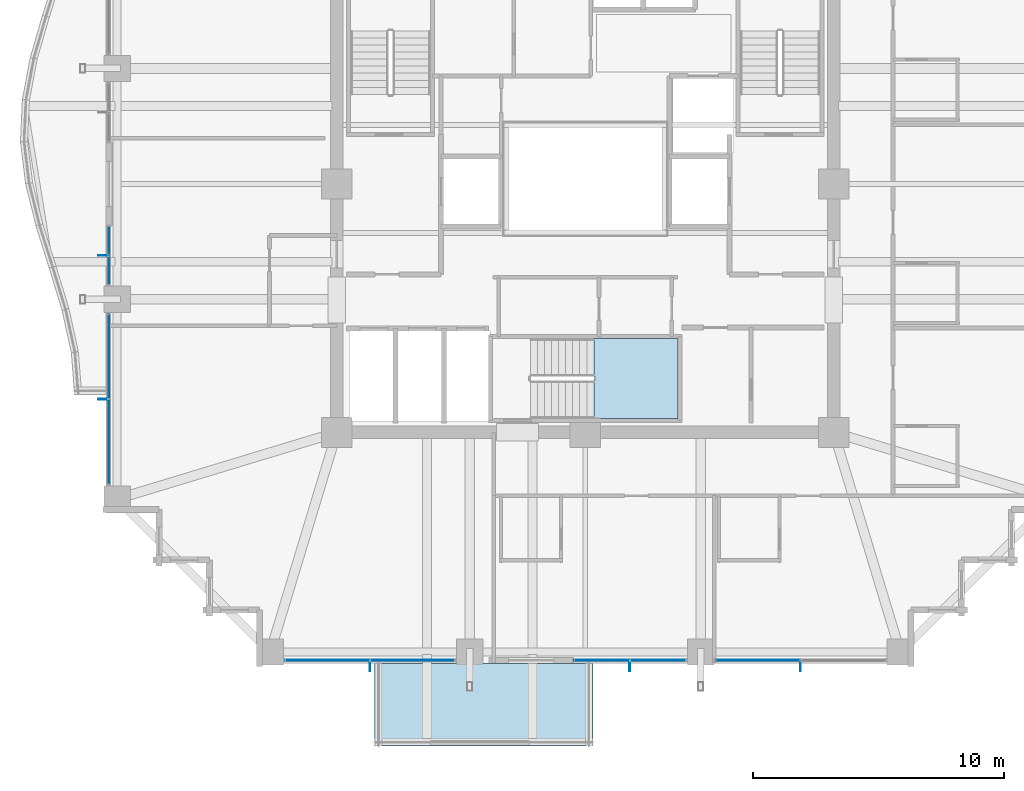
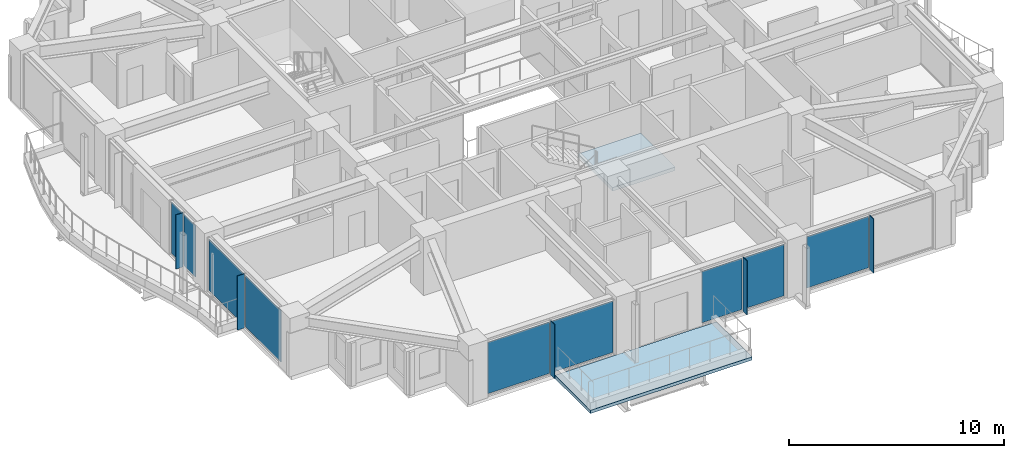
# One storey, part 26 of 38: 14 plates, 2 slabs, 6 elements without a shape of their own.
"""IFC4 building model written with IfcOpenShell, lengths in metres."""

from ifc_helpers import new_model, si_unit, direction, frame, origin, origin_2d, place, context, subcontext, project, spatial, polyline, rectangle, outline, extrude, material, layer, layer_set, type_object, element, aggregate, save


model = new_model("IFC4")

# Units and contexts
model_context = context("Model", 3, precision=1e-05, world=origin(), true_north=direction((0.0, 1.0)))
body_context = subcontext(model_context, "Body", "Model", "MODEL_VIEW")
ifc_project = project(units=[si_unit("LENGTHUNIT", "METRE"), si_unit("AREAUNIT", "SQUARE_METRE"), si_unit("VOLUMEUNIT", "CUBIC_METRE"), si_unit("PLANEANGLEUNIT", "RADIAN"), si_unit("MASSUNIT", "GRAM", prefix="KILO")], contexts=[model_context])

# Site, building, storey
site_placement = place(None, origin())
site = spatial("IfcSite", under=ifc_project, at=site_placement, CompositionType="ELEMENT")
building_placement = place(site_placement, origin())
building = spatial("IfcBuilding", under=site, at=building_placement, Name="Kolvaren Belvedere", CompositionType="ELEMENT")
storey_placement = place(building_placement, frame((0.0, 0.0, 121.699951171875)))
storey = spatial("IfcBuildingStorey", under=building, at=storey_placement, Name="L35", CompositionType="ELEMENT", Elevation=121.699951171875)

# Curtain wall, plate
ifc_material_1 = material(Name="Anodised pale-metal aluminium AA 6063-T6", Category="aluminium")
curtain_wall_type = type_object("IfcCurtainWallType", Name="CW-Z3-WAIST", PredefinedType="NOTDEFINED", material=ifc_material_1)
curtain_wall_1_placement = place(storey_placement, origin())
curtain_wall_1 = element("IfcCurtainWall", 1, at=curtain_wall_1_placement, inside=storey, type_object=curtain_wall_type, Name="L35 Unitised Curtain Wall FCW-L35-S1-B1", PredefinedType="NOTDEFINED")
ifc_material_2 = material(Name="Low-iron triple insulated glass", Category="glass")
ifc_layer_1 = layer(ifc_material_2, 0.028076171875)
ifc_layer_set_1 = layer_set([ifc_layer_1], Name="Low-iron triple insulated glass")
plate_type_1 = type_object("IfcPlateType", Name="CW-PNL-VIS28", PredefinedType="CURTAIN_PANEL", material=ifc_layer_set_1)
plate_1_placement = place(storey_placement, frame((6.876220703125, -18.97998046875, 0.080078125), z_axis=(0.0, 0.0, 1.0), x_axis=(-1.0, 0.0, 0.0)))
plate_1 = element("IfcPlate", 2, at=plate_1_placement, type_object=plate_type_1, Name="FCW-L35-S1-B1 Vision Glazing Panel 2", PredefinedType="CURTAIN_PANEL", context=body_context, shape_type="SweptSolid", body=[
    extrude(rectangle(XDim=3.3173828125, YDim=0.028076171875, at=origin_2d()), origin(), (0.0, 0.0, 1.0), 2.919921875),
])
aggregate(curtain_wall_1, [plate_1])

# Curtain wall, plates
curtain_wall_2_placement = place(storey_placement, origin())
curtain_wall_2 = element("IfcCurtainWall", 3, at=curtain_wall_2_placement, inside=storey, type_object=curtain_wall_type, Name="L35 Unitised Curtain Wall FCW-L35-S1-B2", PredefinedType="NOTDEFINED")
plate_2_placement = place(storey_placement, frame((2.8994140625, -18.97998046875, 0.080078125), z_axis=(0.0, 0.0, 1.0), x_axis=(-1.0, 0.0, 0.0)))
plate_2 = element("IfcPlate", 4, at=plate_2_placement, type_object=plate_type_1, Name="FCW-L35-S1-B2 Vision Glazing Panel 1", PredefinedType="CURTAIN_PANEL", context=body_context, shape_type="SweptSolid", body=[
    extrude(rectangle(XDim=2.166259765625, YDim=0.028076171875, at=origin_2d()), origin(), (0.0, 0.0, 1.0), 2.919921875),
])
plate_3_placement = place(storey_placement, frame((0.653076171875, -18.97998046875, 0.080078125), z_axis=(0.0, 0.0, 1.0), x_axis=(-1.0, 0.0, 0.0)))
plate_3 = element("IfcPlate", 5, at=plate_3_placement, type_object=plate_type_1, Name="FCW-L35-S1-B2 Vision Glazing Panel 2", PredefinedType="CURTAIN_PANEL", context=body_context, shape_type="SweptSolid", body=[
    extrude(rectangle(XDim=2.166259765625, YDim=0.028076171875, at=origin_2d()), origin(), (0.0, 0.0, 1.0), 2.919921875),
])
aggregate(curtain_wall_2, [plate_2, plate_3])

curtain_wall_3_placement = place(storey_placement, origin())
curtain_wall_3 = element("IfcCurtainWall", 6, at=curtain_wall_3_placement, inside=storey, type_object=curtain_wall_type, Name="L35 Unitised Curtain Wall FCW-L35-S2", PredefinedType="NOTDEFINED")
plate_4_placement = place(storey_placement, frame((-6.876220703125, -18.97998046875, 0.080078125), z_axis=(0.0, 0.0, 1.0), x_axis=(-1.0, 0.0, 0.0)))
plate_4 = element("IfcPlate", 7, at=plate_4_placement, type_object=plate_type_1, Name="FCW-L35-S2 Vision Glazing Panel 1", PredefinedType="CURTAIN_PANEL", context=body_context, shape_type="SweptSolid", body=[
    extrude(rectangle(XDim=3.3173828125, YDim=0.028076171875, at=origin_2d()), origin(), (0.0, 0.0, 1.0), 2.919921875),
])
plate_5_placement = place(storey_placement, frame((-10.273681640625, -18.97998046875, 0.080078125), z_axis=(0.0, 0.0, 1.0), x_axis=(-1.0, 0.0, 0.0)))
plate_5 = element("IfcPlate", 8, at=plate_5_placement, type_object=plate_type_1, Name="FCW-L35-S2 Vision Glazing Panel 2", PredefinedType="CURTAIN_PANEL", context=body_context, shape_type="SweptSolid", body=[
    extrude(rectangle(XDim=3.3173828125, YDim=0.028076171875, at=origin_2d()), origin(), (0.0, 0.0, 1.0), 2.919921875),
])
aggregate(curtain_wall_3, [plate_4, plate_5])

curtain_wall_4_placement = place(storey_placement, origin())
curtain_wall_4 = element("IfcCurtainWall", 9, at=curtain_wall_4_placement, inside=storey, type_object=curtain_wall_type, Name="L35 Unitised Curtain Wall FCW-L35-W1-B1", PredefinedType="NOTDEFINED")
plate_6_placement = place(storey_placement, frame((-18.97998046875, -10.273681640625, 0.080078125), z_axis=(0.0, 0.0, 1.0), x_axis=(0.0, 1.0, 0.0)))
plate_6 = element("IfcPlate", 10, at=plate_6_placement, type_object=plate_type_1, Name="FCW-L35-W1-B1 Vision Glazing Panel 1", PredefinedType="CURTAIN_PANEL", context=body_context, shape_type="SweptSolid", body=[
    extrude(rectangle(XDim=3.3173828125, YDim=0.028076171875, at=origin_2d()), origin(), (0.0, 0.0, 1.0), 2.919921875),
])
plate_7_placement = place(storey_placement, frame((-18.97998046875, -6.876220703125, 0.080078125), z_axis=(0.0, 0.0, 1.0), x_axis=(0.0, 1.0, 0.0)))
plate_7 = element("IfcPlate", 11, at=plate_7_placement, type_object=plate_type_1, Name="FCW-L35-W1-B1 Vision Glazing Panel 2", PredefinedType="CURTAIN_PANEL", context=body_context, shape_type="SweptSolid", body=[
    extrude(rectangle(XDim=3.3173828125, YDim=0.028076171875, at=origin_2d()), origin(), (0.0, 0.0, 1.0), 2.919921875),
])
aggregate(curtain_wall_4, [plate_6, plate_7])

curtain_wall_5_placement = place(storey_placement, origin())
curtain_wall_5 = element("IfcCurtainWall", 12, at=curtain_wall_5_placement, inside=storey, type_object=curtain_wall_type, Name="L35 Unitised Curtain Wall FCW-L35-W1-B2", PredefinedType="NOTDEFINED")
plate_8_placement = place(storey_placement, frame((-18.97998046875, -3.43701171875, 0.080078125), z_axis=(0.0, 0.0, 1.0), x_axis=(0.0, 1.0, 0.0)))
plate_8 = element("IfcPlate", 13, at=plate_8_placement, type_object=plate_type_1, Name="FCW-L35-W1-B2 Vision Glazing Panel 1", PredefinedType="CURTAIN_PANEL", context=body_context, shape_type="SweptSolid", body=[
    extrude(rectangle(XDim=1.09130859375, YDim=0.028076171875, at=origin_2d()), origin(), (0.0, 0.0, 1.0), 2.919921875),
])
plate_9_placement = place(storey_placement, frame((-18.97998046875, -2.265625, 0.080078125), z_axis=(0.0, 0.0, 1.0), x_axis=(0.0, 1.0, 0.0)))
plate_9 = element("IfcPlate", 14, at=plate_9_placement, type_object=plate_type_1, Name="FCW-L35-W1-B2 Vision Glazing Panel 2", PredefinedType="CURTAIN_PANEL", context=body_context, shape_type="SweptSolid", body=[
    extrude(rectangle(XDim=1.09130859375, YDim=0.028076171875, at=origin_2d()), origin(), (0.0, 0.0, 1.0), 2.919921875),
])
aggregate(curtain_wall_5, [plate_8, plate_9])

# Plates
ifc_material_3 = material(Name="Anodised pale-metal aluminium AA 6063-T6", Category="aluminium")
ifc_layer_2 = layer(ifc_material_3, 0.033935546875)
ifc_layer_set_2 = layer_set([ifc_layer_2], Name="Anodised pale-metal aluminium AA 6063-T6")
plate_type_2 = type_object("IfcPlateType", Name="FIN-VERT-380", PredefinedType="USERDEFINED", material=ifc_layer_set_2)
for number, where, z_axis, x_axis, name in (
    (15, (8.574951171875, -19.219970703125, 0.0), (0.0, 0.0, 1.0), (0.0, 1.0, 0.0), "L35 Pale-Metal Vertical Shading Fin FCW-L35-S1-B1-1"),
    (16, (1.7763671875, -19.219970703125, 0.0), (0.0, 0.0, 1.0), (0.0, 1.0, 0.0), "L35 Pale-Metal Vertical Shading Fin FCW-L35-S1-B2-1"),
    (17, (-8.574951171875, -19.219970703125, 0.0), (0.0, 0.0, 1.0), (0.0, 1.0, 0.0), "L35 Pale-Metal Vertical Shading Fin FCW-L35-S2-1"),
    (18, (-19.219970703125, -8.574951171875, 0.0), (0.0, 0.0, 1.0), (1.0, 0.0, 0.0), "L35 Pale-Metal Vertical Shading Fin FCW-L35-W1-B1-1"),
    (19, (-19.219970703125, -2.851318359375, 0.0), (0.0, 0.0, 1.0), (1.0, 0.0, 0.0), "L35 Pale-Metal Vertical Shading Fin FCW-L35-W1-B2-1"),
):
    element("IfcPlate", number, at=place(storey_placement, frame(where, z_axis=z_axis, x_axis=x_axis)), inside=storey, type_object=plate_type_2, Name=name, ObjectType="VERTICAL FIN", PredefinedType="USERDEFINED", context=body_context, shape_type="SweptSolid", body=[
        extrude(rectangle(XDim=0.3798828125, YDim=0.033935546875, at=origin_2d()), origin(), (0.0, 0.0, 1.0), 3.080078125),
    ])

# Slab
ifc_material_4 = material(Name="Concrete C50/60", Category="concrete")
ifc_layer_3 = layer(ifc_material_4, 0.179931640625)
ifc_layer_set_3 = layer_set([ifc_layer_3], Name="Concrete C50/60")
slab_type_1 = type_object("IfcSlabType", Name="SL-BAL-180", PredefinedType="FLOOR", material=ifc_layer_set_3)
slab_1_placement = place(storey_placement, frame((0.0, 0.0, -0.219970703125)))
element("IfcSlab", 20, at=slab_1_placement, inside=storey, type_object=slab_type_1, Name="L35 Planted Sky Terrace SPIRAL-05-S", PredefinedType="FLOOR", context=body_context, shape_type="SweptSolid", body=[
    extrude(outline(polyline([(-8.39990234375, -22.39990234375), (0.300048828125, -22.39990234375), (0.300048828125, -19.10009765625), (-8.39990234375, -19.10009765625), (-8.39990234375, -22.39990234375)])), origin(), (0.0, 0.0, 1.0), 0.179931640625),
])

# Stair, slab
ifc_material_5 = material(Name="Concrete C50/60", Category="concrete")
stair_type = type_object("IfcStairType", Name="ST-CORE-1520", PredefinedType="HALF_TURN_STAIR", material=ifc_material_5)
stair_placement = place(storey_placement, origin())
stair = element("IfcStair", 21, at=stair_placement, inside=storey, type_object=stair_type, Name="L35 Protected Exit Stair ST-3", PredefinedType="HALF_TURN_STAIR")
ifc_material_6 = material(Name="Concrete C50/60", Category="concrete")
ifc_layer_4 = layer(ifc_material_6, 0.260009765625)
ifc_layer_set_4 = layer_set([ifc_layer_4], Name="Concrete C50/60")
slab_type_2 = type_object("IfcSlabType", Name="SL-LAND-260", PredefinedType="LANDING", material=ifc_layer_set_4)
slab_2_placement = place(storey_placement, frame((0.0, 0.0, 1.449951171875)))
slab_2 = element("IfcSlab", 22, at=slab_2_placement, type_object=slab_type_2, Name="ST-3 landing 1", PredefinedType="LANDING", context=body_context, shape_type="SweptSolid", body=[
    extrude(outline(polyline([(0.340087890625, -9.35009765625), (3.699951171875, -9.35009765625), (3.699951171875, -6.159912109375), (0.340087890625, -6.159912109375), (0.340087890625, -9.35009765625)])), origin(), (0.0, 0.0, 1.0), 0.2001953125),
])
aggregate(stair, [slab_2])

save(model, "model.ifc")
